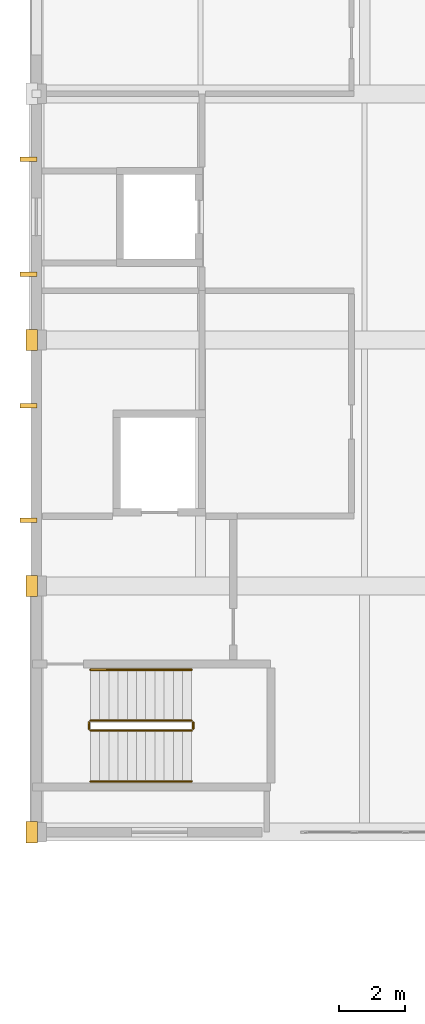
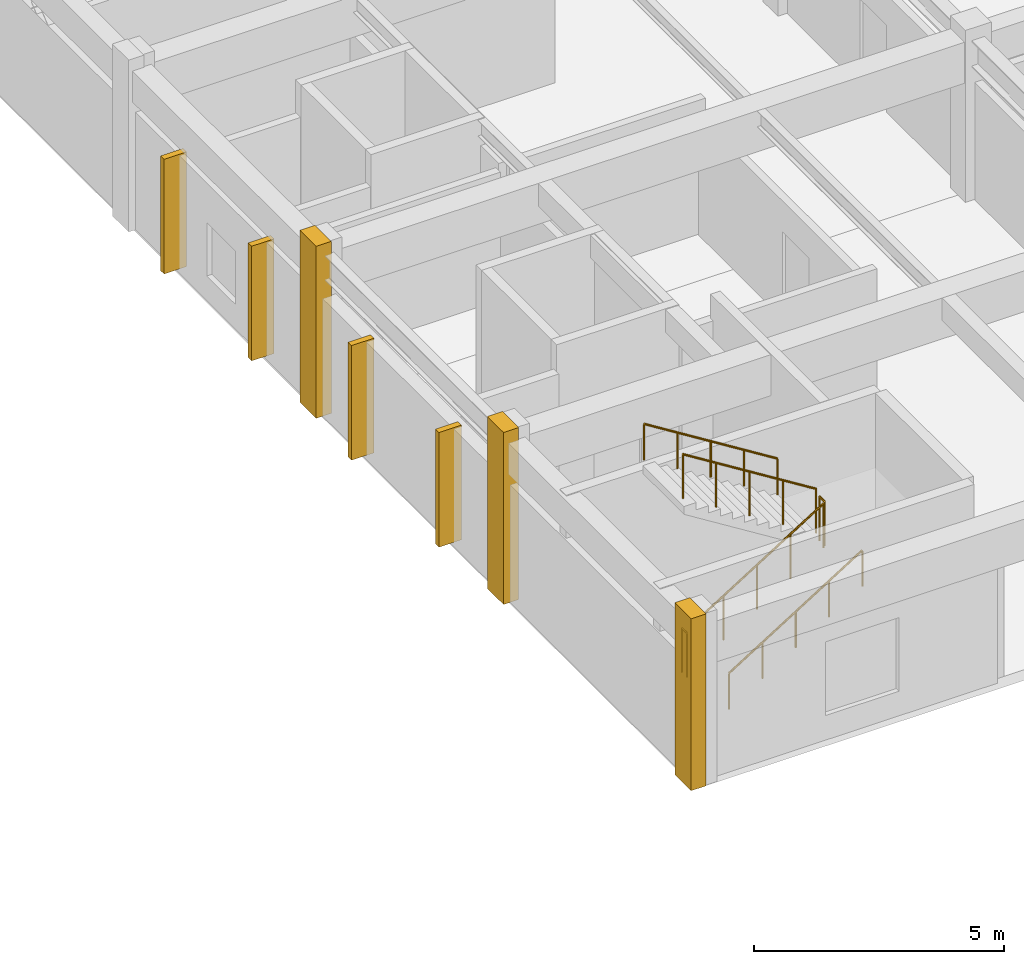
# One storey, part 119 of 124: 6 railings, 4 shading devices, 3 coverings.
"""IFC4 building model written with IfcOpenShell, lengths in metres."""

from ifc_helpers import new_model, si_unit, direction, frame, origin, origin_2d, place, context, subcontext, project, spatial, rectangle, circle, extrude, material, layer, layer_set, type_object, element, save


model = new_model("IFC4")

# Units and contexts
model_context = context("Model", 3, precision=1e-05, world=origin(), true_north=direction((0.0, 1.0)))
body_context = subcontext(model_context, "Body", "Model", "MODEL_VIEW")
ifc_project = project(units=[si_unit("LENGTHUNIT", "METRE"), si_unit("AREAUNIT", "SQUARE_METRE"), si_unit("VOLUMEUNIT", "CUBIC_METRE"), si_unit("PLANEANGLEUNIT", "RADIAN"), si_unit("MASSUNIT", "GRAM", prefix="KILO")], contexts=[model_context])

# Site, building, storey
site_placement = place(None, origin())
site = spatial("IfcSite", under=ifc_project, at=site_placement, CompositionType="ELEMENT")
building_placement = place(site_placement, origin())
building = spatial("IfcBuilding", under=site, at=building_placement, Name="Qasida Concert Hall", CompositionType="ELEMENT")
storey_placement = place(building_placement, frame((0.0, 0.0, 9.0)))
storey = spatial("IfcBuildingStorey", under=building, at=storey_placement, Name="L02", CompositionType="ELEMENT", Elevation=9.0)

# Coverings
ifc_material_1 = material(Name="Projecting fluted Lebanese limestone Art Deco pilaster", Category="masonry")
ifc_layer_1 = layer(ifc_material_1, 0.35009765625, Name="Projecting fluted Lebanese limestone Art Deco pilaster")
ifc_layer_set_1 = layer_set([ifc_layer_1], Name="Projecting fluted Lebanese limestone Art Deco pilaster")
covering_type = type_object("IfcCoveringType", Name="CV-PIL-650", PredefinedType="CLADDING", material=ifc_layer_set_1)
for number, where, z_axis, x_axis, name in (
    (1, (-0.135009765625, 75.0, 0.0), (0.0, 0.0, 1.0), (1.0, 0.0, 0.0), "L02 fluted limestone pilaster 0267"),
    (2, (-0.135009765625, 82.5, 0.0), (0.0, 0.0, 1.0), (1.0, 0.0, 0.0), "L02 fluted limestone pilaster 0274"),
    (3, (-0.135009765625, 90.0, 0.0), (0.0, 0.0, 1.0), (1.0, 0.0, 0.0), "L02 fluted limestone pilaster 0281"),
):
    element("IfcCovering", number, at=place(storey_placement, frame(where, z_axis=z_axis, x_axis=x_axis)), inside=storey, type_object=covering_type, Name=name, PredefinedType="CLADDING", context=body_context, shape_type="SweptSolid", body=[
        extrude(rectangle(XDim=0.35009765625, YDim=0.64990234375, at=origin_2d()), origin(), (0.0, 0.0, 1.0), 4.199951171875),
    ])

# Railings
ifc_material_2 = material(Name="Patinated architectural bronze and laminated glass infill", Category="glass")
ifc_layer_2 = layer(ifc_material_2, 0.080078125, Name="Patinated architectural bronze and laminated glass infill")
ifc_layer_set_2 = layer_set([ifc_layer_2], Name="Patinated architectural bronze and laminated glass infill")
railing_type_1 = type_object("IfcRailingType", Name="RL-GRD-1100", PredefinedType="GUARDRAIL", material=ifc_layer_set_2)
railing_1_placement = place(storey_placement, frame((1.64990234375, 78.10009765625, 0.175048828125)))
element("IfcRailing", 4, at=railing_1_placement, inside=storey, type_object=railing_type_1, Name="L02 ST-05 stair guard 1", PredefinedType="GUARDRAIL", context=body_context, shape_type="SweptSolid", body=[
    extrude(circle(Radius=0.02392578125, at=origin_2d()), frame((0.0, 0.0, 1.076171875), z_axis=(0.847998304005, 0.0, 0.529998940003), x_axis=(0.0, 1.0, 0.0)), (0.0, 0.0, 1.0), 3.632080078125),
    extrude(circle(Radius=0.02099609375, at=origin_2d()), origin(), (0.0, 0.0, 1.0), 1.052001953125),
    extrude(circle(Radius=0.02099609375, at=origin_2d()), frame((0.77001953125, 0.0, 0.481201171875)), (0.0, 0.0, 1.0), 1.052001953125),
    extrude(circle(Radius=0.02099609375, at=origin_2d()), frame((1.5400390625, 0.0, 0.96240234375)), (0.0, 0.0, 1.0), 1.052001953125),
    extrude(circle(Radius=0.02099609375, at=origin_2d()), frame((2.31005859375, 0.0, 1.44384765625)), (0.0, 0.0, 1.0), 1.052001953125),
    extrude(circle(Radius=0.02099609375, at=origin_2d()), frame((3.080078125, 0.0, 1.925048828125)), (0.0, 0.0, 1.0), 1.052001953125),
])
railing_2_placement = place(storey_placement, frame((4.780029296875, 78.14990234375, 2.10009765625)))
element("IfcRailing", 5, at=railing_2_placement, inside=storey, type_object=railing_type_1, Name="L02 ST-05 stair guard 2", PredefinedType="GUARDRAIL", context=body_context, shape_type="SweptSolid", body=[
    extrude(circle(Radius=0.02392578125, at=origin_2d()), frame((0.0, 0.0, 1.076171875), z_axis=(0.0, 1.0, 0.0), x_axis=(-1.0, 0.0, 0.0)), (0.0, 0.0, 1.0), 0.2001953125),
    extrude(circle(Radius=0.02099609375, at=origin_2d()), origin(), (0.0, 0.0, 1.0), 1.052001953125),
    extrude(circle(Radius=0.02099609375, at=origin_2d()), frame((0.0, 0.2001953125, 0.0)), (0.0, 0.0, 1.0), 1.052001953125),
])
railing_3_placement = place(storey_placement, frame((4.72998046875, 78.39990234375, 2.27490234375)))
element("IfcRailing", 6, at=railing_3_placement, inside=storey, type_object=railing_type_1, Name="L02 ST-05 stair guard 3", PredefinedType="GUARDRAIL", context=body_context, shape_type="SweptSolid", body=[
    extrude(circle(Radius=0.02392578125, at=origin_2d()), frame((0.0, 0.0, 1.076171875), z_axis=(-0.847998304005, 0.0, 0.529998940003), x_axis=(0.0, -1.0, 0.0)), (0.0, 0.0, 1.0), 3.632080078125),
    extrude(circle(Radius=0.02099609375, at=origin_2d()), origin(), (0.0, 0.0, 1.0), 1.052001953125),
    extrude(circle(Radius=0.02099609375, at=origin_2d()), frame((-0.77001953125, 0.0, 0.481201171875)), (0.0, 0.0, 1.0), 1.052001953125),
    extrude(circle(Radius=0.02099609375, at=origin_2d()), frame((-1.5400390625, 0.0, 0.96240234375)), (0.0, 0.0, 1.0), 1.052001953125),
    extrude(circle(Radius=0.02099609375, at=origin_2d()), frame((-2.31005859375, 0.0, 1.44384765625)), (0.0, 0.0, 1.0), 1.052001953125),
    extrude(circle(Radius=0.02099609375, at=origin_2d()), frame((-3.080078125, 0.0, 1.925048828125)), (0.0, 0.0, 1.0), 1.052001953125),
])
railing_4_placement = place(storey_placement, frame((1.60009765625, 78.14990234375, 0.0)))
element("IfcRailing", 7, at=railing_4_placement, inside=storey, type_object=railing_type_1, Name="L02 ST-05 stair guard 4", PredefinedType="GUARDRAIL", context=body_context, shape_type="SweptSolid", body=[
    extrude(circle(Radius=0.02392578125, at=origin_2d()), frame((0.0, 0.0, 1.076171875), z_axis=(0.0, 1.0, 0.0), x_axis=(-1.0, 0.0, 0.0)), (0.0, 0.0, 1.0), 0.2001953125),
    extrude(circle(Radius=0.02099609375, at=origin_2d()), origin(), (0.0, 0.0, 1.0), 1.052001953125),
    extrude(circle(Radius=0.02099609375, at=origin_2d()), frame((0.0, 0.2001953125, 0.0)), (0.0, 0.0, 1.0), 1.052001953125),
])
ifc_material_3 = material(Name="Patinated tubular architectural bronze", Category="steel")
ifc_layer_3 = layer(ifc_material_3, 0.050048828125, Name="Patinated tubular architectural bronze")
ifc_layer_set_3 = layer_set([ifc_layer_3], Name="Patinated tubular architectural bronze")
railing_type_2 = type_object("IfcRailingType", Name="RL-HND-900", PredefinedType="HANDRAIL", material=ifc_layer_set_3)
railing_5_placement = place(storey_placement, frame((1.64990234375, 76.550048828125, 0.175048828125)))
element("IfcRailing", 8, at=railing_5_placement, inside=storey, type_object=railing_type_2, Name="L02 ST-05 stair handrail 1", PredefinedType="HANDRAIL", context=body_context, shape_type="SweptSolid", body=[
    extrude(circle(Radius=0.02392578125, at=origin_2d()), frame((0.0, 0.0, 0.8759765625), z_axis=(0.847998304005, 0.0, 0.529998940003), x_axis=(0.0, 1.0, 0.0)), (0.0, 0.0, 1.0), 3.632080078125),
    extrude(circle(Radius=0.02099609375, at=origin_2d()), origin(), (0.0, 0.0, 1.0), 0.851806640625),
    extrude(circle(Radius=0.02099609375, at=origin_2d()), frame((0.77001953125, 0.0, 0.481201171875)), (0.0, 0.0, 1.0), 0.851806640625),
    extrude(circle(Radius=0.02099609375, at=origin_2d()), frame((1.5400390625, 0.0, 0.96240234375)), (0.0, 0.0, 1.0), 0.851806640625),
    extrude(circle(Radius=0.02099609375, at=origin_2d()), frame((2.31005859375, 0.0, 1.44384765625)), (0.0, 0.0, 1.0), 0.851806640625),
    extrude(circle(Radius=0.02099609375, at=origin_2d()), frame((3.080078125, 0.0, 1.925048828125)), (0.0, 0.0, 1.0), 0.851806640625),
])
railing_6_placement = place(storey_placement, frame((4.72998046875, 79.949951171875, 2.27490234375)))
element("IfcRailing", 9, at=railing_6_placement, inside=storey, type_object=railing_type_2, Name="L02 ST-05 stair handrail 2", PredefinedType="HANDRAIL", context=body_context, shape_type="SweptSolid", body=[
    extrude(circle(Radius=0.02392578125, at=origin_2d()), frame((0.0, 0.0, 0.8759765625), z_axis=(-0.847998304005, 0.0, 0.529998940003), x_axis=(0.0, -1.0, 0.0)), (0.0, 0.0, 1.0), 3.632080078125),
    extrude(circle(Radius=0.02099609375, at=origin_2d()), origin(), (0.0, 0.0, 1.0), 0.851806640625),
    extrude(circle(Radius=0.02099609375, at=origin_2d()), frame((-0.77001953125, 0.0, 0.481201171875)), (0.0, 0.0, 1.0), 0.851806640625),
    extrude(circle(Radius=0.02099609375, at=origin_2d()), frame((-1.5400390625, 0.0, 0.96240234375)), (0.0, 0.0, 1.0), 0.851806640625),
    extrude(circle(Radius=0.02099609375, at=origin_2d()), frame((-2.31005859375, 0.0, 1.44384765625)), (0.0, 0.0, 1.0), 0.851806640625),
    extrude(circle(Radius=0.02099609375, at=origin_2d()), frame((-3.080078125, 0.0, 1.925048828125)), (0.0, 0.0, 1.0), 0.851806640625),
])

# Shading devices
ifc_material_4 = material(Name="Fluted ochre Lebanese limestone and patinated bronze", Category="masonry")
shading_device_type = type_object("IfcShadingDeviceType", Name="SHD-FIN-520", PredefinedType="USERDEFINED", material=ifc_material_4)
for number, where, z_axis, x_axis, name in (
    (10, (-0.239990234375, 84.5, 0.10009765625), (0.0, 0.0, 1.0), (1.0, 0.0, 0.0), "L02 conservatory solar fin W-01"),
    (11, (-0.239990234375, 88.0, 0.10009765625), (0.0, 0.0, 1.0), (1.0, 0.0, 0.0), "L02 conservatory solar fin W-02"),
    (12, (-0.239990234375, 92.0, 0.10009765625), (0.0, 0.0, 1.0), (1.0, 0.0, 0.0), "L02 conservatory solar fin W-03"),
    (13, (-0.239990234375, 95.5, 0.10009765625), (0.0, 0.0, 1.0), (1.0, 0.0, 0.0), "L02 conservatory solar fin W-04"),
):
    element("IfcShadingDevice", number, at=place(storey_placement, frame(where, z_axis=z_axis, x_axis=x_axis)), inside=storey, type_object=shading_device_type, Name=name, ObjectType="FIN", PredefinedType="USERDEFINED", context=body_context, shape_type="SweptSolid", body=[
        extrude(rectangle(XDim=0.52001953125, YDim=0.139892578125, at=origin_2d()), origin(), (0.0, 0.0, 1.0), 2.800048828125),
    ])

save(model, "model.ifc")
